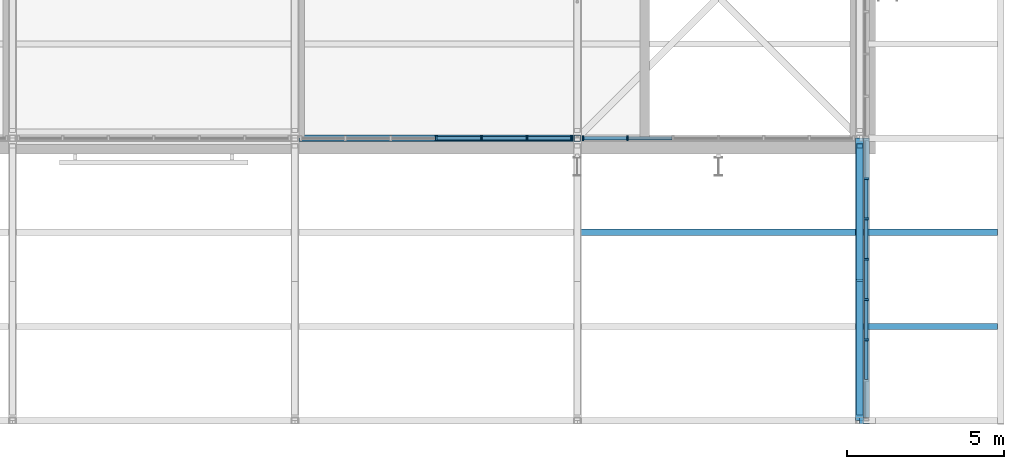
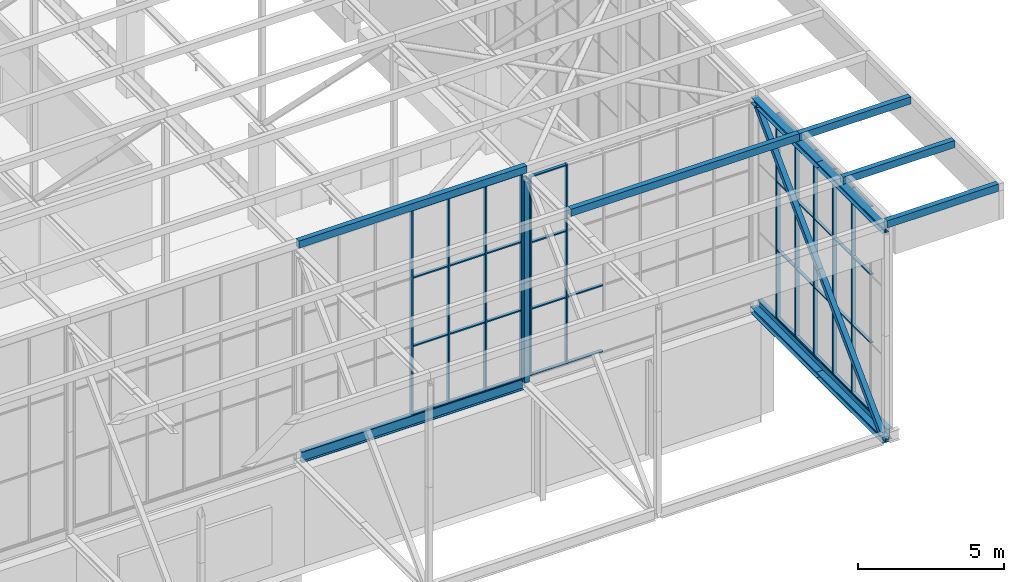
# One storey, part 84 of 646: 62 members, 2 beams, 3 elements without a shape of their own.
"""IFC4 building model written with IfcOpenShell, lengths in metres."""

from ifc_helpers import new_model, si_unit, direction, frame, origin, origin_2d, place, context, subcontext, project, spatial, rectangle, hollow_rectangle, i_section, extrude, material, material_profile, profile_set, type_object, element, aggregate, save


model = new_model("IFC4")

# Units and contexts
model_context = context("Model", 3, precision=1e-05, world=origin(), true_north=direction((0.0, 1.0)))
body_context = subcontext(model_context, "Body", "Model", "MODEL_VIEW")
ifc_project = project(units=[si_unit("LENGTHUNIT", "METRE"), si_unit("AREAUNIT", "SQUARE_METRE"), si_unit("VOLUMEUNIT", "CUBIC_METRE"), si_unit("PLANEANGLEUNIT", "RADIAN"), si_unit("MASSUNIT", "GRAM", prefix="KILO")], contexts=[model_context])

# Site, building, storey
site_placement = place(None, origin())
site = spatial("IfcSite", under=ifc_project, at=site_placement, CompositionType="ELEMENT")
building_placement = place(site_placement, origin())
building = spatial("IfcBuilding", under=site, at=building_placement, Name="Silverbay Arena", CompositionType="ELEMENT")
storey_placement = place(building_placement, frame((0.0, 0.0, 33.5)))
storey = spatial("IfcBuildingStorey", under=building, at=storey_placement, Name="L05", CompositionType="ELEMENT", Elevation=33.5)

# Curtain wall, members
ifc_material_1 = material(Name="Aluminium framed glazing", Category="aluminium")
curtain_wall_type_1 = type_object("IfcCurtainWallType", Name="Curtain wall clerestory 8693 x 8540", PredefinedType="NOTDEFINED", material=ifc_material_1)
curtain_wall_1_placement = place(storey_placement, origin())
curtain_wall_1 = element("IfcCurtainWall", 1, at=curtain_wall_1_placement, inside=storey, type_object=curtain_wall_type_1, Name="ROOF CLERESTORY CURTAIN WALL south bay 16", PredefinedType="NOTDEFINED")
ifc_material_2 = material(Name="Aluminium", Category="aluminium")
ifc_material_profile_1 = material_profile(ifc_material_2, rectangle(XDim=0.159912109375, YDim=0.06005859375, at=origin_2d()), Name="Mullion 60 x 160")
ifc_profile_set_1 = profile_set([ifc_material_profile_1], Name="Aluminium")
member_type_1 = type_object("IfcMemberType", Name="Mullion 60 x 160", PredefinedType="MULLION", material=ifc_profile_set_1)
member_1_placement = place(storey_placement, frame((193.5, 18.0, 4.4599609375), z_axis=(0.0, 0.0, 1.0), x_axis=(0.0, 1.0, 0.0)))
member_1 = element("IfcMember", 2, at=member_1_placement, type_object=member_type_1, Name="CW55 mullion 4", PredefinedType="MULLION", context=body_context, shape_type="SweptSolid", body=[
    extrude(rectangle(XDim=0.159912109375, YDim=0.06005859375, at=origin_2d()), origin(), (0.0, 0.0, 1.0), 8.5400390625),
])
member_2_placement = place(storey_placement, frame((194.94873046875, 18.0, 4.4599609375), z_axis=(0.0, 0.0, 1.0), x_axis=(0.0, 1.0, 0.0)))
member_2 = element("IfcMember", 3, at=member_2_placement, type_object=member_type_1, Name="CW55 mullion 5", PredefinedType="MULLION", context=body_context, shape_type="SweptSolid", body=[
    extrude(rectangle(XDim=0.159912109375, YDim=0.06005859375, at=origin_2d()), origin(), (0.0, 0.0, 1.0), 8.5400390625),
])
member_3_placement = place(storey_placement, frame((196.3974609375, 18.0, 4.4599609375), z_axis=(0.0, 0.0, 1.0), x_axis=(0.0, 1.0, 0.0)))
member_3 = element("IfcMember", 4, at=member_3_placement, type_object=member_type_1, Name="CW55 mullion 6", PredefinedType="MULLION", context=body_context, shape_type="SweptSolid", body=[
    extrude(rectangle(XDim=0.159912109375, YDim=0.06005859375, at=origin_2d()), origin(), (0.0, 0.0, 1.0), 8.5400390625),
])
member_4_placement = place(storey_placement, frame((197.81640625, 18.0, 4.4599609375), z_axis=(0.0, 0.0, 1.0), x_axis=(0.0, 1.0, 0.0)))
member_4 = element("IfcMember", 5, at=member_4_placement, type_object=member_type_1, Name="CW55 mullion 7", PredefinedType="MULLION", context=body_context, shape_type="SweptSolid", body=[
    extrude(rectangle(XDim=0.159912109375, YDim=0.06005859375, at=origin_2d()), origin(), (0.0, 0.0, 1.0), 8.5400390625),
])

ifc_material_3 = material(Name="Aluminium framed glazing", Category="aluminium")
curtain_wall_type_2 = type_object("IfcCurtainWallType", Name="Curtain wall clerestory 8693 x 8303", PredefinedType="NOTDEFINED", material=ifc_material_3)
curtain_wall_2_placement = place(storey_placement, origin())
curtain_wall_2 = element("IfcCurtainWall", 6, at=curtain_wall_2_placement, inside=storey, type_object=curtain_wall_type_2, Name="ROOF CLERESTORY CURTAIN WALL south bay 17", PredefinedType="NOTDEFINED")
member_5_placement = place(storey_placement, frame((198.18359375, 18.0, 4.4599609375), z_axis=(0.0, 0.0, 1.0), x_axis=(0.0, 1.0, 0.0)))
member_5 = element("IfcMember", 7, at=member_5_placement, type_object=member_type_1, Name="CW54 mullion 1", PredefinedType="MULLION", context=body_context, shape_type="SweptSolid", body=[
    extrude(rectangle(XDim=0.159912109375, YDim=0.06005859375, at=origin_2d()), origin(), (0.0, 0.0, 1.0), 8.303466796875),
])
member_6_placement = place(storey_placement, frame((199.6025390625, 18.0, 4.4599609375), z_axis=(0.0, 0.0, 1.0), x_axis=(0.0, 1.0, 0.0)))
member_6 = element("IfcMember", 8, at=member_6_placement, type_object=member_type_1, Name="CW54 mullion 2", PredefinedType="MULLION", context=body_context, shape_type="SweptSolid", body=[
    extrude(rectangle(XDim=0.159912109375, YDim=0.06005859375, at=origin_2d()), origin(), (0.0, 0.0, 1.0), 8.303466796875),
])

ifc_material_4 = material(Name="Aluminium framed glazing", Category="aluminium")
curtain_wall_type_3 = type_object("IfcCurtainWallType", Name="Curtain wall clerestory 9000 x 8547", PredefinedType="NOTDEFINED", material=ifc_material_4)
curtain_wall_3_placement = place(storey_placement, origin())
curtain_wall_3 = element("IfcCurtainWall", 9, at=curtain_wall_3_placement, inside=storey, type_object=curtain_wall_type_3, Name="ROOF GABLE CLERESTORY CURTAIN WALL east bay 01", PredefinedType="NOTDEFINED")
member_7_placement = place(storey_placement, frame((207.2099609375, 11.571533203125, 4.453369140625), z_axis=(0.0, 0.0, 1.0), x_axis=(-1.0, 0.0, 0.0)))
member_7 = element("IfcMember", 10, at=member_7_placement, type_object=member_type_1, Name="CW57 mullion 3", PredefinedType="MULLION", context=body_context, shape_type="SweptSolid", body=[
    extrude(rectangle(XDim=0.159912109375, YDim=0.06005859375, at=origin_2d()), origin(), (0.0, 0.0, 1.0), 8.546630859375),
])
member_8_placement = place(storey_placement, frame((207.2099609375, 12.857177734375, 4.453369140625), z_axis=(0.0, 0.0, 1.0), x_axis=(-1.0, 0.0, 0.0)))
member_8 = element("IfcMember", 11, at=member_8_placement, type_object=member_type_1, Name="CW57 mullion 4", PredefinedType="MULLION", context=body_context, shape_type="SweptSolid", body=[
    extrude(rectangle(XDim=0.159912109375, YDim=0.06005859375, at=origin_2d()), origin(), (0.0, 0.0, 1.0), 8.546630859375),
])
member_9_placement = place(storey_placement, frame((207.2099609375, 14.142822265625, 4.453369140625), z_axis=(0.0, 0.0, 1.0), x_axis=(-1.0, 0.0, 0.0)))
member_9 = element("IfcMember", 12, at=member_9_placement, type_object=member_type_1, Name="CW57 mullion 5", PredefinedType="MULLION", context=body_context, shape_type="SweptSolid", body=[
    extrude(rectangle(XDim=0.159912109375, YDim=0.06005859375, at=origin_2d()), origin(), (0.0, 0.0, 1.0), 8.546630859375),
])
member_10_placement = place(storey_placement, frame((207.2099609375, 15.428466796875, 4.453369140625), z_axis=(0.0, 0.0, 1.0), x_axis=(-1.0, 0.0, 0.0)))
member_10 = element("IfcMember", 13, at=member_10_placement, type_object=member_type_1, Name="CW57 mullion 6", PredefinedType="MULLION", context=body_context, shape_type="SweptSolid", body=[
    extrude(rectangle(XDim=0.159912109375, YDim=0.06005859375, at=origin_2d()), origin(), (0.0, 0.0, 1.0), 8.546630859375),
])
member_11_placement = place(storey_placement, frame((207.2099609375, 16.71435546875, 4.453369140625), z_axis=(0.0, 0.0, 1.0), x_axis=(-1.0, 0.0, 0.0)))
member_11 = element("IfcMember", 14, at=member_11_placement, type_object=member_type_1, Name="CW57 mullion 7", PredefinedType="MULLION", context=body_context, shape_type="SweptSolid", body=[
    extrude(rectangle(XDim=0.159912109375, YDim=0.06005859375, at=origin_2d()), origin(), (0.0, 0.0, 1.0), 8.546630859375),
])

# Members
ifc_material_5 = material(Name="Steel S355", Category="steel")
ifc_material_profile_2 = material_profile(ifc_material_5, hollow_rectangle(XDim=0.199951171875, YDim=0.300048828125, WallThickness=0.008056640625, at=origin_2d()), Name="RHS 300x200x8")
ifc_profile_set_2 = profile_set([ifc_material_profile_2], Name="Steel S355")
member_type_2 = type_object("IfcMemberType", Name="Purlin RHS 300x200x8", PredefinedType="PURLIN", material=ifc_profile_set_2)
for number, where, z_axis, x_axis, name in (
    (15, (189.0, 18.0, 13.14990234375), (1.0, 0.0, 0.0), (0.0, 1.0, 0.0), "ROOF PURLIN 22-23 line 04"),
    (16, (198.0, 15.0, 13.14990234375), (1.0, 0.0, 0.0), (0.0, 1.0, 0.0), "ROOF PURLIN 23-24 line 03"),
):
    element("IfcMember", number, at=place(storey_placement, frame(where, z_axis=z_axis, x_axis=x_axis)), inside=storey, type_object=member_type_2, Name=name, PredefinedType="PURLIN", context=body_context, shape_type="SweptSolid", body=[
        extrude(hollow_rectangle(XDim=0.199951171875, YDim=0.300048828125, WallThickness=0.008056640625, at=origin_2d()), origin(), (0.0, 0.0, 1.0), 9.0),
    ])
for number, where, z_axis, x_axis, name in (
    (17, (211.39990234375, 9.0, 13.14990234375), (-1.0, 0.0, 0.0), (0.0, -1.0, 0.0), "ROOF PURLIN east eave line 01"),
    (18, (211.39990234375, 12.0, 13.14990234375), (-1.0, 0.0, 0.0), (0.0, -1.0, 0.0), "ROOF PURLIN east eave line 02"),
    (19, (211.39990234375, 15.0, 13.14990234375), (-1.0, 0.0, 0.0), (0.0, -1.0, 0.0), "ROOF PURLIN east eave line 03"),
):
    element("IfcMember", number, at=place(storey_placement, frame(where, z_axis=z_axis, x_axis=x_axis)), inside=storey, type_object=member_type_2, Name=name, PredefinedType="PURLIN", context=body_context, shape_type="SweptSolid", body=[
        extrude(hollow_rectangle(XDim=0.199951171875, YDim=0.300048828125, WallThickness=0.008056640625, at=origin_2d()), origin(), (0.0, 0.0, 1.0), 4.39990234375),
    ])

# Beams
ifc_material_6 = material(Name="Steel S355", Category="steel")
ifc_material_profile_3 = material_profile(ifc_material_6, i_section(OverallWidth=0.18994140625, OverallDepth=0.453369140625, WebThickness=0.008544921875, FlangeThickness=0.0126953125, at=origin_2d()), Name="UB 457x191x67")
ifc_profile_set_3 = profile_set([ifc_material_profile_3], Name="Steel S355")
beam_type_1 = type_object("IfcBeamType", Name="Ring beam UB 457x191x67", PredefinedType="BEAM", material=ifc_profile_set_3)
beam_1_placement = place(storey_placement, frame((207.224853515625, 9.094970703125, 4.226806640625), z_axis=(0.0, 1.0, 0.0), x_axis=(-1.0, 0.0, 0.0)))
element("IfcBeam", 20, at=beam_1_placement, inside=storey, type_object=beam_type_1, Name="RING BEAM east gable panel 01", PredefinedType="BEAM", context=body_context, shape_type="SweptSolid", body=[
    extrude(i_section(OverallWidth=0.18994140625, OverallDepth=0.453369140625, WebThickness=0.008544921875, FlangeThickness=0.0126953125, at=origin_2d()), origin(), (0.0, 0.0, 1.0), 8.905029296875),
])
ifc_material_7 = material(Name="Steel S355", Category="steel")
ifc_material_profile_4 = material_profile(ifc_material_7, i_section(OverallWidth=0.19140625, OverallDepth=0.4599609375, WebThickness=0.010009765625, FlangeThickness=0.01611328125, at=origin_2d()), Name="UB 457x191x82")
ifc_profile_set_4 = profile_set([ifc_material_profile_4], Name="Steel S355")
beam_type_2 = type_object("IfcBeamType", Name="Ring beam UB 457x191x82", PredefinedType="BEAM", material=ifc_profile_set_4)
beam_2_placement = place(storey_placement, frame((189.127197265625, 18.0, 4.22998046875), z_axis=(1.0, 0.0, 0.0), x_axis=(0.0, 1.0, 0.0)))
element("IfcBeam", 21, at=beam_2_placement, inside=storey, type_object=beam_type_2, Name="RING BEAM south facade 22-23", PredefinedType="BEAM", context=body_context, shape_type="SweptSolid", body=[
    extrude(i_section(OverallWidth=0.19140625, OverallDepth=0.4599609375, WebThickness=0.010009765625, FlangeThickness=0.01611328125, at=origin_2d()), origin(), (0.0, 0.0, 1.0), 8.74560546875),
])

# Members
ifc_material_8 = material(Name="Steel S355", Category="steel")
ifc_material_profile_5 = material_profile(ifc_material_8, i_section(OverallWidth=0.254638671875, OverallDepth=0.254150390625, WebThickness=0.008544921875, FlangeThickness=0.01416015625, at=origin_2d()), Name="UC 254x254x73")
ifc_profile_set_5 = profile_set([ifc_material_profile_5], Name="Steel S355")
member_type_3 = type_object("IfcMemberType", Name="Short-span bottom chord UC 254x254x73", PredefinedType="CHORD", material=ifc_profile_set_5)
for number, where, z_axis, x_axis, name in (
    (22, (207.0, 9.0, 4.126953125), (0.0, 1.0, 0.0), (-1.0, 0.0, 0.0), "ROOF TRUSS 24 bottom chord 01a"),
    (23, (207.0, 13.5, 4.126953125), (0.0, 1.0, 0.0), (-1.0, 0.0, 0.0), "ROOF TRUSS 24 bottom chord 01b"),
):
    element("IfcMember", number, at=place(storey_placement, frame(where, z_axis=z_axis, x_axis=x_axis)), inside=storey, type_object=member_type_3, Name=name, PredefinedType="CHORD", context=body_context, shape_type="SweptSolid", body=[
        extrude(i_section(OverallWidth=0.254638671875, OverallDepth=0.254150390625, WebThickness=0.008544921875, FlangeThickness=0.01416015625, at=origin_2d()), origin(), (0.0, 0.0, 1.0), 4.5),
    ])
ifc_material_9 = material(Name="Steel S355", Category="steel")
ifc_material_profile_6 = material_profile(ifc_material_9, i_section(OverallWidth=0.254638671875, OverallDepth=0.254150390625, WebThickness=0.008544921875, FlangeThickness=0.01416015625, at=origin_2d()), Name="UC 254x254x73")
ifc_profile_set_6 = profile_set([ifc_material_profile_6], Name="Steel S355")
member_type_4 = type_object("IfcMemberType", Name="Short-span top chord UC 254x254x73", PredefinedType="CHORD", material=ifc_profile_set_6)
for number, where, z_axis, x_axis, name in (
    (24, (207.0, 9.0, 12.873046875), (0.0, 1.0, 0.0), (-1.0, 0.0, 0.0), "ROOF TRUSS 24 top chord 01a"),
    (25, (207.0, 13.5, 12.873046875), (0.0, 1.0, 0.0), (-1.0, 0.0, 0.0), "ROOF TRUSS 24 top chord 01b"),
):
    element("IfcMember", number, at=place(storey_placement, frame(where, z_axis=z_axis, x_axis=x_axis)), inside=storey, type_object=member_type_4, Name=name, PredefinedType="CHORD", context=body_context, shape_type="SweptSolid", body=[
        extrude(i_section(OverallWidth=0.254638671875, OverallDepth=0.254150390625, WebThickness=0.008544921875, FlangeThickness=0.01416015625, at=origin_2d()), origin(), (0.0, 0.0, 1.0), 4.5),
    ])
ifc_material_10 = material(Name="Steel S355", Category="steel")
ifc_material_profile_7 = material_profile(ifc_material_10, hollow_rectangle(XDim=0.199951171875, YDim=0.199951171875, WallThickness=0.008056640625, at=origin_2d()), Name="SHS 200x200x8")
ifc_profile_set_7 = profile_set([ifc_material_profile_7], Name="Steel S355")
member_type_5 = type_object("IfcMemberType", Name="Short-span truss diagonal SHS 200x200x8", PredefinedType="BRACE", material=ifc_profile_set_7)
for number, where, z_axis, x_axis, name in (
    (26, (207.0, 17.75439453125, 12.745849609375), (0.0, -0.70781724692, -0.706395600894), (1.0, 0.0, 0.0), "ROOF TRUSS 24 diagonal 01a"),
    (27, (207.0, 13.5, 8.5), (0.0, -0.70781724692, -0.706395600894), (1.0, 0.0, 0.0), "ROOF TRUSS 24 diagonal 01b"),
):
    element("IfcMember", number, at=place(storey_placement, frame(where, z_axis=z_axis, x_axis=x_axis)), inside=storey, type_object=member_type_5, Name=name, PredefinedType="BRACE", context=body_context, shape_type="SweptSolid", body=[
        extrude(hollow_rectangle(XDim=0.199951171875, YDim=0.199951171875, WallThickness=0.008056640625, at=origin_2d()), origin(), (0.0, 0.0, 1.0), 6.010498046875),
    ])
ifc_material_11 = material(Name="Steel S355", Category="steel")
ifc_material_profile_8 = material_profile(ifc_material_11, hollow_rectangle(XDim=0.199951171875, YDim=0.199951171875, WallThickness=0.008056640625, at=origin_2d()), Name="SHS 200x200x8")
ifc_profile_set_8 = profile_set([ifc_material_profile_8], Name="Steel S355")
member_type_6 = type_object("IfcMemberType", Name="Short-span truss vertical SHS 200x200x8", PredefinedType="STRUT", material=ifc_profile_set_8)
for number, where, z_axis, x_axis, name in (
    (28, (198.0, 18.0, 4.254150390625), (0.0, 0.0, 1.0), (1.0, 0.0, 0.0), "ROOF TRUSS 23 vertical 02a"),
    (29, (198.0, 18.0, 8.5), (0.0, 0.0, 1.0), (1.0, 0.0, 0.0), "ROOF TRUSS 23 vertical 02b"),
):
    element("IfcMember", number, at=place(storey_placement, frame(where, z_axis=z_axis, x_axis=x_axis)), inside=storey, type_object=member_type_6, Name=name, PredefinedType="STRUT", context=body_context, shape_type="SweptSolid", body=[
        extrude(hollow_rectangle(XDim=0.199951171875, YDim=0.199951171875, WallThickness=0.008056640625, at=origin_2d()), origin(), (0.0, 0.0, 1.0), 4.245849609375),
    ])

# Member
ifc_material_12 = material(Name="Aluminium", Category="aluminium")
ifc_material_profile_9 = material_profile(ifc_material_12, rectangle(XDim=0.1201171875, YDim=0.050048828125, at=origin_2d()), Name="Transom 50 x 120")
ifc_profile_set_9 = profile_set([ifc_material_profile_9], Name="Aluminium")
member_type_7 = type_object("IfcMemberType", Name="Transom 50 x 120", PredefinedType="USERDEFINED", material=ifc_profile_set_9)
member_12_placement = place(storey_placement, frame((193.530029296875, 18.0, 4.485107421875), z_axis=(1.0, 0.0, 0.0), x_axis=(0.0, 1.0, 0.0)))
member_12 = element("IfcMember", 30, at=member_12_placement, type_object=member_type_7, Name="CW55 transom 4.1", ObjectType="TRANSOM", PredefinedType="USERDEFINED", context=body_context, shape_type="SweptSolid", body=[
    extrude(rectangle(XDim=0.1201171875, YDim=0.050048828125, at=origin_2d()), origin(), (0.0, 0.0, 1.0), 1.388671875),
])

member_13_placement = place(storey_placement, frame((193.530029296875, 18.0, 7.306640625), z_axis=(1.0, 0.0, 0.0), x_axis=(0.0, 1.0, 0.0)))
member_13 = element("IfcMember", 31, at=member_13_placement, type_object=member_type_7, Name="CW55 transom 4.2", ObjectType="TRANSOM", PredefinedType="USERDEFINED", context=body_context, shape_type="SweptSolid", body=[
    extrude(rectangle(XDim=0.1201171875, YDim=0.050048828125, at=origin_2d()), origin(), (0.0, 0.0, 1.0), 1.388671875),
])

member_14_placement = place(storey_placement, frame((193.530029296875, 18.0, 10.1533203125), z_axis=(1.0, 0.0, 0.0), x_axis=(0.0, 1.0, 0.0)))
member_14 = element("IfcMember", 32, at=member_14_placement, type_object=member_type_7, Name="CW55 transom 4.3", ObjectType="TRANSOM", PredefinedType="USERDEFINED", context=body_context, shape_type="SweptSolid", body=[
    extrude(rectangle(XDim=0.1201171875, YDim=0.050048828125, at=origin_2d()), origin(), (0.0, 0.0, 1.0), 1.388671875),
])

member_15_placement = place(storey_placement, frame((193.530029296875, 18.0, 12.97509765625), z_axis=(1.0, 0.0, 0.0), x_axis=(0.0, 1.0, 0.0)))
member_15 = element("IfcMember", 33, at=member_15_placement, type_object=member_type_7, Name="CW55 transom 4.4", ObjectType="TRANSOM", PredefinedType="USERDEFINED", context=body_context, shape_type="SweptSolid", body=[
    extrude(rectangle(XDim=0.1201171875, YDim=0.050048828125, at=origin_2d()), origin(), (0.0, 0.0, 1.0), 1.388671875),
])

member_16_placement = place(storey_placement, frame((194.978759765625, 18.0, 4.485107421875), z_axis=(1.0, 0.0, 0.0), x_axis=(0.0, 1.0, 0.0)))
member_16 = element("IfcMember", 34, at=member_16_placement, type_object=member_type_7, Name="CW55 transom 5.1", ObjectType="TRANSOM", PredefinedType="USERDEFINED", context=body_context, shape_type="SweptSolid", body=[
    extrude(rectangle(XDim=0.1201171875, YDim=0.050048828125, at=origin_2d()), origin(), (0.0, 0.0, 1.0), 1.388671875),
])

member_17_placement = place(storey_placement, frame((194.978759765625, 18.0, 7.306640625), z_axis=(1.0, 0.0, 0.0), x_axis=(0.0, 1.0, 0.0)))
member_17 = element("IfcMember", 35, at=member_17_placement, type_object=member_type_7, Name="CW55 transom 5.2", ObjectType="TRANSOM", PredefinedType="USERDEFINED", context=body_context, shape_type="SweptSolid", body=[
    extrude(rectangle(XDim=0.1201171875, YDim=0.050048828125, at=origin_2d()), origin(), (0.0, 0.0, 1.0), 1.388671875),
])

member_18_placement = place(storey_placement, frame((194.978759765625, 18.0, 10.1533203125), z_axis=(1.0, 0.0, 0.0), x_axis=(0.0, 1.0, 0.0)))
member_18 = element("IfcMember", 36, at=member_18_placement, type_object=member_type_7, Name="CW55 transom 5.3", ObjectType="TRANSOM", PredefinedType="USERDEFINED", context=body_context, shape_type="SweptSolid", body=[
    extrude(rectangle(XDim=0.1201171875, YDim=0.050048828125, at=origin_2d()), origin(), (0.0, 0.0, 1.0), 1.388671875),
])

member_19_placement = place(storey_placement, frame((194.978759765625, 18.0, 12.97509765625), z_axis=(1.0, 0.0, 0.0), x_axis=(0.0, 1.0, 0.0)))
member_19 = element("IfcMember", 37, at=member_19_placement, type_object=member_type_7, Name="CW55 transom 5.4", ObjectType="TRANSOM", PredefinedType="USERDEFINED", context=body_context, shape_type="SweptSolid", body=[
    extrude(rectangle(XDim=0.1201171875, YDim=0.050048828125, at=origin_2d()), origin(), (0.0, 0.0, 1.0), 1.388671875),
])

member_20_placement = place(storey_placement, frame((196.427490234375, 18.0, 4.485107421875), z_axis=(1.0, 0.0, 0.0), x_axis=(0.0, 1.0, 0.0)))
member_20 = element("IfcMember", 38, at=member_20_placement, type_object=member_type_7, Name="CW55 transom 6.1", ObjectType="TRANSOM", PredefinedType="USERDEFINED", context=body_context, shape_type="SweptSolid", body=[
    extrude(rectangle(XDim=0.1201171875, YDim=0.050048828125, at=origin_2d()), origin(), (0.0, 0.0, 1.0), 1.35888671875),
])

member_21_placement = place(storey_placement, frame((196.427490234375, 18.0, 7.306640625), z_axis=(1.0, 0.0, 0.0), x_axis=(0.0, 1.0, 0.0)))
member_21 = element("IfcMember", 39, at=member_21_placement, type_object=member_type_7, Name="CW55 transom 6.2", ObjectType="TRANSOM", PredefinedType="USERDEFINED", context=body_context, shape_type="SweptSolid", body=[
    extrude(rectangle(XDim=0.1201171875, YDim=0.050048828125, at=origin_2d()), origin(), (0.0, 0.0, 1.0), 1.35888671875),
])

member_22_placement = place(storey_placement, frame((196.427490234375, 18.0, 10.1533203125), z_axis=(1.0, 0.0, 0.0), x_axis=(0.0, 1.0, 0.0)))
member_22 = element("IfcMember", 40, at=member_22_placement, type_object=member_type_7, Name="CW55 transom 6.3", ObjectType="TRANSOM", PredefinedType="USERDEFINED", context=body_context, shape_type="SweptSolid", body=[
    extrude(rectangle(XDim=0.1201171875, YDim=0.050048828125, at=origin_2d()), origin(), (0.0, 0.0, 1.0), 1.35888671875),
])

member_23_placement = place(storey_placement, frame((196.427490234375, 18.0, 12.97509765625), z_axis=(1.0, 0.0, 0.0), x_axis=(0.0, 1.0, 0.0)))
member_23 = element("IfcMember", 41, at=member_23_placement, type_object=member_type_7, Name="CW55 transom 6.4", ObjectType="TRANSOM", PredefinedType="USERDEFINED", context=body_context, shape_type="SweptSolid", body=[
    extrude(rectangle(XDim=0.1201171875, YDim=0.050048828125, at=origin_2d()), origin(), (0.0, 0.0, 1.0), 1.35888671875),
])

aggregate(curtain_wall_1, [member_1, member_2, member_3, member_4, member_12, member_13, member_14, member_15, member_16, member_17, member_18, member_19, member_20, member_21, member_22, member_23])

member_24_placement = place(storey_placement, frame((198.213623046875, 18.0, 4.485107421875), z_axis=(1.0, 0.0, 0.0), x_axis=(0.0, 1.0, 0.0)))
member_24 = element("IfcMember", 42, at=member_24_placement, type_object=member_type_7, Name="CW54 transom 1.1", ObjectType="TRANSOM", PredefinedType="USERDEFINED", context=body_context, shape_type="SweptSolid", body=[
    extrude(rectangle(XDim=0.1201171875, YDim=0.050048828125, at=origin_2d()), origin(), (0.0, 0.0, 1.0), 1.35888671875),
])

member_25_placement = place(storey_placement, frame((198.213623046875, 18.0, 7.227783203125), z_axis=(1.0, 0.0, 0.0), x_axis=(0.0, 1.0, 0.0)))
member_25 = element("IfcMember", 43, at=member_25_placement, type_object=member_type_7, Name="CW54 transom 1.2", ObjectType="TRANSOM", PredefinedType="USERDEFINED", context=body_context, shape_type="SweptSolid", body=[
    extrude(rectangle(XDim=0.1201171875, YDim=0.050048828125, at=origin_2d()), origin(), (0.0, 0.0, 1.0), 1.35888671875),
])

member_26_placement = place(storey_placement, frame((198.213623046875, 18.0, 9.99560546875), z_axis=(1.0, 0.0, 0.0), x_axis=(0.0, 1.0, 0.0)))
member_26 = element("IfcMember", 44, at=member_26_placement, type_object=member_type_7, Name="CW54 transom 1.3", ObjectType="TRANSOM", PredefinedType="USERDEFINED", context=body_context, shape_type="SweptSolid", body=[
    extrude(rectangle(XDim=0.1201171875, YDim=0.050048828125, at=origin_2d()), origin(), (0.0, 0.0, 1.0), 1.35888671875),
])

member_27_placement = place(storey_placement, frame((198.213623046875, 18.0, 12.73828125), z_axis=(1.0, 0.0, 0.0), x_axis=(0.0, 1.0, 0.0)))
member_27 = element("IfcMember", 45, at=member_27_placement, type_object=member_type_7, Name="CW54 transom 1.4", ObjectType="TRANSOM", PredefinedType="USERDEFINED", context=body_context, shape_type="SweptSolid", body=[
    extrude(rectangle(XDim=0.1201171875, YDim=0.050048828125, at=origin_2d()), origin(), (0.0, 0.0, 1.0), 1.35888671875),
])

member_28_placement = place(storey_placement, frame((199.632568359375, 18.0, 4.485107421875), z_axis=(1.0, 0.0, 0.0), x_axis=(0.0, 1.0, 0.0)))
member_28 = element("IfcMember", 46, at=member_28_placement, type_object=member_type_7, Name="CW54 transom 2.1", ObjectType="TRANSOM", PredefinedType="USERDEFINED", context=body_context, shape_type="SweptSolid", body=[
    extrude(rectangle(XDim=0.1201171875, YDim=0.050048828125, at=origin_2d()), origin(), (0.0, 0.0, 1.0), 1.388671875),
])

member_29_placement = place(storey_placement, frame((199.632568359375, 18.0, 7.227783203125), z_axis=(1.0, 0.0, 0.0), x_axis=(0.0, 1.0, 0.0)))
member_29 = element("IfcMember", 47, at=member_29_placement, type_object=member_type_7, Name="CW54 transom 2.2", ObjectType="TRANSOM", PredefinedType="USERDEFINED", context=body_context, shape_type="SweptSolid", body=[
    extrude(rectangle(XDim=0.1201171875, YDim=0.050048828125, at=origin_2d()), origin(), (0.0, 0.0, 1.0), 1.388671875),
])

aggregate(curtain_wall_2, [member_5, member_6, member_24, member_25, member_26, member_27, member_28, member_29])

member_30_placement = place(storey_placement, frame((207.2099609375, 10.315673828125, 4.478515625), z_axis=(0.0, 1.0, 0.0), x_axis=(-1.0, 0.0, 0.0)))
member_30 = element("IfcMember", 48, at=member_30_placement, type_object=member_type_7, Name="CW57 transom 2.1", ObjectType="TRANSOM", PredefinedType="USERDEFINED", context=body_context, shape_type="SweptSolid", body=[
    extrude(rectangle(XDim=0.1201171875, YDim=0.050048828125, at=origin_2d()), origin(), (0.0, 0.0, 1.0), 1.225830078125),
])

member_31_placement = place(storey_placement, frame((207.2099609375, 10.315673828125, 7.30224609375), z_axis=(0.0, 1.0, 0.0), x_axis=(-1.0, 0.0, 0.0)))
member_31 = element("IfcMember", 49, at=member_31_placement, type_object=member_type_7, Name="CW57 transom 2.2", ObjectType="TRANSOM", PredefinedType="USERDEFINED", context=body_context, shape_type="SweptSolid", body=[
    extrude(rectangle(XDim=0.1201171875, YDim=0.050048828125, at=origin_2d()), origin(), (0.0, 0.0, 1.0), 1.225830078125),
])

member_32_placement = place(storey_placement, frame((207.2099609375, 10.315673828125, 10.151123046875), z_axis=(0.0, 1.0, 0.0), x_axis=(-1.0, 0.0, 0.0)))
member_32 = element("IfcMember", 50, at=member_32_placement, type_object=member_type_7, Name="CW57 transom 2.3", ObjectType="TRANSOM", PredefinedType="USERDEFINED", context=body_context, shape_type="SweptSolid", body=[
    extrude(rectangle(XDim=0.1201171875, YDim=0.050048828125, at=origin_2d()), origin(), (0.0, 0.0, 1.0), 1.225830078125),
])

member_33_placement = place(storey_placement, frame((207.2099609375, 10.315673828125, 12.97509765625), z_axis=(0.0, 1.0, 0.0), x_axis=(-1.0, 0.0, 0.0)))
member_33 = element("IfcMember", 51, at=member_33_placement, type_object=member_type_7, Name="CW57 transom 2.4", ObjectType="TRANSOM", PredefinedType="USERDEFINED", context=body_context, shape_type="SweptSolid", body=[
    extrude(rectangle(XDim=0.1201171875, YDim=0.050048828125, at=origin_2d()), origin(), (0.0, 0.0, 1.0), 1.225830078125),
])

member_34_placement = place(storey_placement, frame((207.2099609375, 11.601318359375, 4.478515625), z_axis=(0.0, 1.0, 0.0), x_axis=(-1.0, 0.0, 0.0)))
member_34 = element("IfcMember", 52, at=member_34_placement, type_object=member_type_7, Name="CW57 transom 3.1", ObjectType="TRANSOM", PredefinedType="USERDEFINED", context=body_context, shape_type="SweptSolid", body=[
    extrude(rectangle(XDim=0.1201171875, YDim=0.050048828125, at=origin_2d()), origin(), (0.0, 0.0, 1.0), 1.225830078125),
])

member_35_placement = place(storey_placement, frame((207.2099609375, 11.601318359375, 7.30224609375), z_axis=(0.0, 1.0, 0.0), x_axis=(-1.0, 0.0, 0.0)))
member_35 = element("IfcMember", 53, at=member_35_placement, type_object=member_type_7, Name="CW57 transom 3.2", ObjectType="TRANSOM", PredefinedType="USERDEFINED", context=body_context, shape_type="SweptSolid", body=[
    extrude(rectangle(XDim=0.1201171875, YDim=0.050048828125, at=origin_2d()), origin(), (0.0, 0.0, 1.0), 1.225830078125),
])

member_36_placement = place(storey_placement, frame((207.2099609375, 11.601318359375, 10.151123046875), z_axis=(0.0, 1.0, 0.0), x_axis=(-1.0, 0.0, 0.0)))
member_36 = element("IfcMember", 54, at=member_36_placement, type_object=member_type_7, Name="CW57 transom 3.3", ObjectType="TRANSOM", PredefinedType="USERDEFINED", context=body_context, shape_type="SweptSolid", body=[
    extrude(rectangle(XDim=0.1201171875, YDim=0.050048828125, at=origin_2d()), origin(), (0.0, 0.0, 1.0), 1.225830078125),
])

member_37_placement = place(storey_placement, frame((207.2099609375, 11.601318359375, 12.97509765625), z_axis=(0.0, 1.0, 0.0), x_axis=(-1.0, 0.0, 0.0)))
member_37 = element("IfcMember", 55, at=member_37_placement, type_object=member_type_7, Name="CW57 transom 3.4", ObjectType="TRANSOM", PredefinedType="USERDEFINED", context=body_context, shape_type="SweptSolid", body=[
    extrude(rectangle(XDim=0.1201171875, YDim=0.050048828125, at=origin_2d()), origin(), (0.0, 0.0, 1.0), 1.225830078125),
])

member_38_placement = place(storey_placement, frame((207.2099609375, 12.88720703125, 4.478515625), z_axis=(0.0, 1.0, 0.0), x_axis=(-1.0, 0.0, 0.0)))
member_38 = element("IfcMember", 56, at=member_38_placement, type_object=member_type_7, Name="CW57 transom 4.1", ObjectType="TRANSOM", PredefinedType="USERDEFINED", context=body_context, shape_type="SweptSolid", body=[
    extrude(rectangle(XDim=0.1201171875, YDim=0.050048828125, at=origin_2d()), origin(), (0.0, 0.0, 1.0), 1.2255859375),
])

member_39_placement = place(storey_placement, frame((207.2099609375, 12.88720703125, 7.30224609375), z_axis=(0.0, 1.0, 0.0), x_axis=(-1.0, 0.0, 0.0)))
member_39 = element("IfcMember", 57, at=member_39_placement, type_object=member_type_7, Name="CW57 transom 4.2", ObjectType="TRANSOM", PredefinedType="USERDEFINED", context=body_context, shape_type="SweptSolid", body=[
    extrude(rectangle(XDim=0.1201171875, YDim=0.050048828125, at=origin_2d()), origin(), (0.0, 0.0, 1.0), 1.2255859375),
])

member_40_placement = place(storey_placement, frame((207.2099609375, 12.88720703125, 10.151123046875), z_axis=(0.0, 1.0, 0.0), x_axis=(-1.0, 0.0, 0.0)))
member_40 = element("IfcMember", 58, at=member_40_placement, type_object=member_type_7, Name="CW57 transom 4.3", ObjectType="TRANSOM", PredefinedType="USERDEFINED", context=body_context, shape_type="SweptSolid", body=[
    extrude(rectangle(XDim=0.1201171875, YDim=0.050048828125, at=origin_2d()), origin(), (0.0, 0.0, 1.0), 1.2255859375),
])

member_41_placement = place(storey_placement, frame((207.2099609375, 12.88720703125, 12.97509765625), z_axis=(0.0, 1.0, 0.0), x_axis=(-1.0, 0.0, 0.0)))
member_41 = element("IfcMember", 59, at=member_41_placement, type_object=member_type_7, Name="CW57 transom 4.4", ObjectType="TRANSOM", PredefinedType="USERDEFINED", context=body_context, shape_type="SweptSolid", body=[
    extrude(rectangle(XDim=0.1201171875, YDim=0.050048828125, at=origin_2d()), origin(), (0.0, 0.0, 1.0), 1.2255859375),
])

member_42_placement = place(storey_placement, frame((207.2099609375, 14.1728515625, 4.478515625), z_axis=(0.0, 1.0, 0.0), x_axis=(-1.0, 0.0, 0.0)))
member_42 = element("IfcMember", 60, at=member_42_placement, type_object=member_type_7, Name="CW57 transom 5.1", ObjectType="TRANSOM", PredefinedType="USERDEFINED", context=body_context, shape_type="SweptSolid", body=[
    extrude(rectangle(XDim=0.1201171875, YDim=0.050048828125, at=origin_2d()), origin(), (0.0, 0.0, 1.0), 1.225830078125),
])

member_43_placement = place(storey_placement, frame((207.2099609375, 14.1728515625, 7.30224609375), z_axis=(0.0, 1.0, 0.0), x_axis=(-1.0, 0.0, 0.0)))
member_43 = element("IfcMember", 61, at=member_43_placement, type_object=member_type_7, Name="CW57 transom 5.2", ObjectType="TRANSOM", PredefinedType="USERDEFINED", context=body_context, shape_type="SweptSolid", body=[
    extrude(rectangle(XDim=0.1201171875, YDim=0.050048828125, at=origin_2d()), origin(), (0.0, 0.0, 1.0), 1.225830078125),
])

member_44_placement = place(storey_placement, frame((207.2099609375, 14.1728515625, 10.151123046875), z_axis=(0.0, 1.0, 0.0), x_axis=(-1.0, 0.0, 0.0)))
member_44 = element("IfcMember", 62, at=member_44_placement, type_object=member_type_7, Name="CW57 transom 5.3", ObjectType="TRANSOM", PredefinedType="USERDEFINED", context=body_context, shape_type="SweptSolid", body=[
    extrude(rectangle(XDim=0.1201171875, YDim=0.050048828125, at=origin_2d()), origin(), (0.0, 0.0, 1.0), 1.225830078125),
])

member_45_placement = place(storey_placement, frame((207.2099609375, 14.1728515625, 12.97509765625), z_axis=(0.0, 1.0, 0.0), x_axis=(-1.0, 0.0, 0.0)))
member_45 = element("IfcMember", 63, at=member_45_placement, type_object=member_type_7, Name="CW57 transom 5.4", ObjectType="TRANSOM", PredefinedType="USERDEFINED", context=body_context, shape_type="SweptSolid", body=[
    extrude(rectangle(XDim=0.1201171875, YDim=0.050048828125, at=origin_2d()), origin(), (0.0, 0.0, 1.0), 1.225830078125),
])

member_46_placement = place(storey_placement, frame((207.2099609375, 15.45849609375, 4.478515625), z_axis=(0.0, 1.0, 0.0), x_axis=(-1.0, 0.0, 0.0)))
member_46 = element("IfcMember", 64, at=member_46_placement, type_object=member_type_7, Name="CW57 transom 6.1", ObjectType="TRANSOM", PredefinedType="USERDEFINED", context=body_context, shape_type="SweptSolid", body=[
    extrude(rectangle(XDim=0.1201171875, YDim=0.050048828125, at=origin_2d()), origin(), (0.0, 0.0, 1.0), 1.225830078125),
])

member_47_placement = place(storey_placement, frame((207.2099609375, 15.45849609375, 7.30224609375), z_axis=(0.0, 1.0, 0.0), x_axis=(-1.0, 0.0, 0.0)))
member_47 = element("IfcMember", 65, at=member_47_placement, type_object=member_type_7, Name="CW57 transom 6.2", ObjectType="TRANSOM", PredefinedType="USERDEFINED", context=body_context, shape_type="SweptSolid", body=[
    extrude(rectangle(XDim=0.1201171875, YDim=0.050048828125, at=origin_2d()), origin(), (0.0, 0.0, 1.0), 1.225830078125),
])

member_48_placement = place(storey_placement, frame((207.2099609375, 15.45849609375, 10.151123046875), z_axis=(0.0, 1.0, 0.0), x_axis=(-1.0, 0.0, 0.0)))
member_48 = element("IfcMember", 66, at=member_48_placement, type_object=member_type_7, Name="CW57 transom 6.3", ObjectType="TRANSOM", PredefinedType="USERDEFINED", context=body_context, shape_type="SweptSolid", body=[
    extrude(rectangle(XDim=0.1201171875, YDim=0.050048828125, at=origin_2d()), origin(), (0.0, 0.0, 1.0), 1.225830078125),
])

member_49_placement = place(storey_placement, frame((207.2099609375, 15.45849609375, 12.97509765625), z_axis=(0.0, 1.0, 0.0), x_axis=(-1.0, 0.0, 0.0)))
member_49 = element("IfcMember", 67, at=member_49_placement, type_object=member_type_7, Name="CW57 transom 6.4", ObjectType="TRANSOM", PredefinedType="USERDEFINED", context=body_context, shape_type="SweptSolid", body=[
    extrude(rectangle(XDim=0.1201171875, YDim=0.050048828125, at=origin_2d()), origin(), (0.0, 0.0, 1.0), 1.225830078125),
])

aggregate(curtain_wall_3, [member_7, member_8, member_9, member_10, member_11, member_30, member_31, member_32, member_33, member_34, member_35, member_36, member_37, member_38, member_39, member_40, member_41, member_42, member_43, member_44, member_45, member_46, member_47, member_48, member_49])

save(model, "model.ifc")
